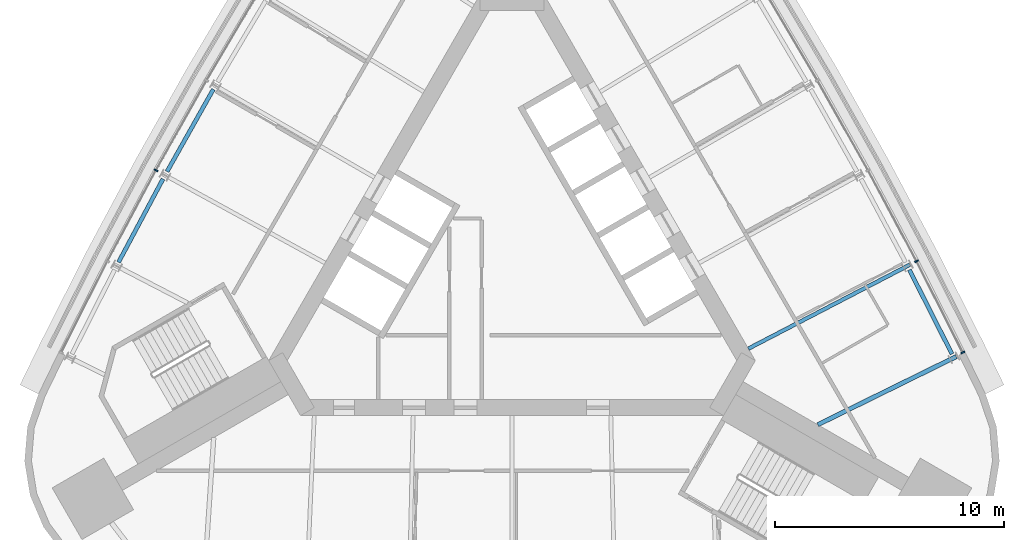
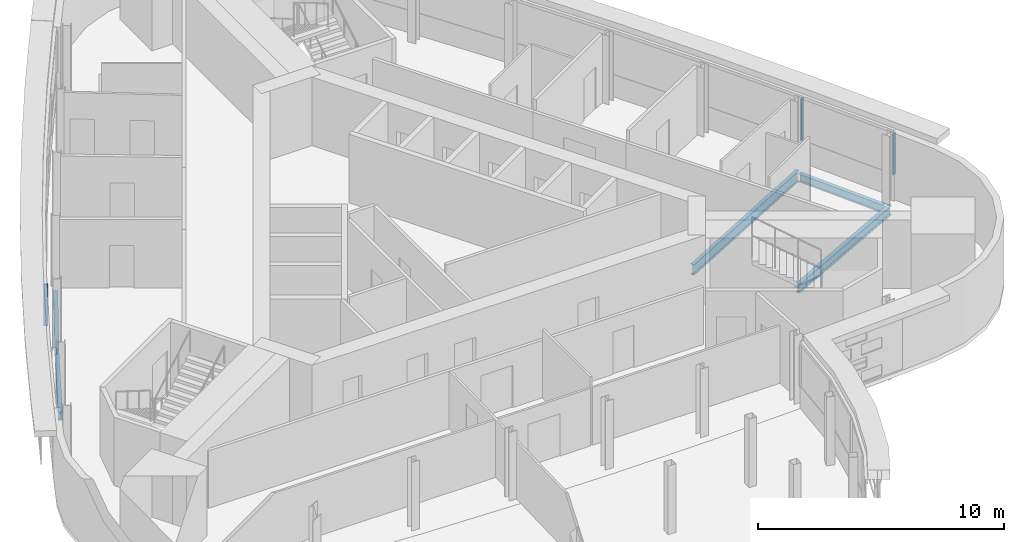
# One storey, part 5 of 14: 5 beams, 3 members, 2 elements without a shape of their own.
"""IFC4 building model written with IfcOpenShell, lengths in metres."""

from ifc_helpers import new_model, si_unit, direction, frame, origin, origin_2d, place, context, subcontext, project, spatial, rectangle, i_section, extrude, material, material_profile, profile_set, type_object, element, aggregate, save


model = new_model("IFC4")

# Units and contexts
model_context = context("Model", 3, precision=1e-05, world=origin(), true_north=direction((0.0, 1.0)))
body_context = subcontext(model_context, "Body", "Model", "MODEL_VIEW")
ifc_project = project(units=[si_unit("LENGTHUNIT", "METRE"), si_unit("AREAUNIT", "SQUARE_METRE"), si_unit("VOLUMEUNIT", "CUBIC_METRE"), si_unit("PLANEANGLEUNIT", "RADIAN"), si_unit("MASSUNIT", "GRAM", prefix="KILO")], contexts=[model_context])

# Site, building, storey
site_placement = place(None, origin())
site = spatial("IfcSite", under=ifc_project, at=site_placement, CompositionType="ELEMENT")
building_placement = place(site_placement, origin())
building = spatial("IfcBuilding", under=site, at=building_placement, Name="Noor Cloister Tower", CompositionType="ELEMENT")
storey_placement = place(building_placement, frame((0.0, 0.0, 218.39990234375)))
storey = spatial("IfcBuildingStorey", under=building, at=storey_placement, Name="L56", CompositionType="ELEMENT", Elevation=218.39990234375)

# Curtain wall, member
ifc_material_1 = material(Name="Aluminium 6063-T6 anodised", Category="aluminium")
curtain_wall_type = type_object("IfcCurtainWallType", Name="Ribbon curtain wall, upper tower CW5", PredefinedType="NOTDEFINED", material=ifc_material_1)
curtain_wall_1_placement = place(storey_placement, origin())
curtain_wall_1 = element("IfcCurtainWall", 1, at=curtain_wall_1_placement, inside=storey, type_object=curtain_wall_type, Name="CW5 L56 NW run 1", PredefinedType="NOTDEFINED")
ifc_material_2 = material(Name="Aluminium 6063-T6 anodised", Category="aluminium")
ifc_material_profile_1 = material_profile(ifc_material_2, rectangle(XDim=0.179931640625, YDim=0.070068359375, at=origin_2d()), Name="180 x 70 mullion")
ifc_profile_set_1 = profile_set([ifc_material_profile_1], Name="Aluminium 6063-T6 anodised")
member_type = type_object("IfcMemberType", Name="Mullion CW5 70 x 180", PredefinedType="MULLION", material=ifc_profile_set_1)
member_1_placement = place(storey_placement, frame((-15.5341796875, 3.775390625, 1.10009765625), z_axis=(0.0, 0.0, 1.0), x_axis=(0.8768790948, -0.480710987083, 0.0)))
member_1 = element("IfcMember", 2, at=member_1_placement, type_object=member_type, Name="CW5 mullion 5", PredefinedType="MULLION", context=body_context, shape_type="SweptSolid", body=[
    extrude(rectangle(XDim=0.179931640625, YDim=0.070068359375, at=origin_2d()), origin(), (0.0, 0.0, 1.0), 2.050048828125),
])
aggregate(curtain_wall_1, [member_1])

# Curtain wall, members
curtain_wall_2_placement = place(storey_placement, origin())
curtain_wall_2 = element("IfcCurtainWall", 3, at=curtain_wall_2_placement, inside=storey, type_object=curtain_wall_type, Name="CW5 L56 NE run 4", PredefinedType="NOTDEFINED")
member_2_placement = place(storey_placement, frame((19.667236328125, -4.175537109375, 1.10009765625), z_axis=(0.0, 0.0, 1.0), x_axis=(-0.892352618471, -0.451338901833, 0.0)))
member_2 = element("IfcMember", 4, at=member_2_placement, type_object=member_type, Name="CW5 mullion 1", PredefinedType="MULLION", context=body_context, shape_type="SweptSolid", body=[
    extrude(rectangle(XDim=0.179931640625, YDim=0.070068359375, at=origin_2d()), origin(), (0.0, 0.0, 1.0), 2.050048828125),
])
member_3_placement = place(storey_placement, frame((17.652587890625, -0.192138671875, 1.10009765625), z_axis=(0.0, 0.0, 1.0), x_axis=(-0.887303238306, -0.461186473449, 0.0)))
member_3 = element("IfcMember", 5, at=member_3_placement, type_object=member_type, Name="CW5 mullion 2", PredefinedType="MULLION", context=body_context, shape_type="SweptSolid", body=[
    extrude(rectangle(XDim=0.179931640625, YDim=0.070068359375, at=origin_2d()), origin(), (0.0, 0.0, 1.0), 2.050048828125),
])
aggregate(curtain_wall_2, [member_2, member_3])

# Beams
ifc_material_3 = material(Name="Steel ASTM A992 Gr 50", Category="steel")
ifc_material_profile_2 = material_profile(ifc_material_3, i_section(OverallWidth=0.19091796875, OverallDepth=0.45703125, WebThickness=0.009033203125, FlangeThickness=0.014404296875, FilletRadius=0.01025390625, at=origin_2d()), Name="W460x74")
ifc_profile_set_2 = profile_set([ifc_material_profile_2], Name="Steel ASTM A992 Gr 50")
beam_type_1 = type_object("IfcBeamType", Name="Radial beam W460x74", PredefinedType="BEAM", material=ifc_profile_set_2)
beam_1_placement = place(storey_placement, frame((19.3828125, -4.35302734375, -0.428466796875), z_axis=(-0.897293950697, -0.44143353525, 0.0), x_axis=(0.44143353525, -0.897293950697, 0.0)))
element("IfcBeam", 6, at=beam_1_placement, inside=storey, type_object=beam_type_1, Name="Radial beam NE 01 L56", PredefinedType="BEAM", context=body_context, shape_type="SweptSolid", body=[
    extrude(i_section(OverallWidth=0.19091796875, OverallDepth=0.45703125, WebThickness=0.009033203125, FlangeThickness=0.014404296875, FilletRadius=0.01025390625, at=origin_2d()), origin(), (0.0, 0.0, 1.0), 6.735107421875),
])
ifc_material_4 = material(Name="Steel ASTM A992 Gr 50", Category="steel")
ifc_material_profile_3 = material_profile(ifc_material_4, i_section(OverallWidth=0.166015625, OverallDepth=0.528076171875, WebThickness=0.009765625, FlangeThickness=0.013671875, FilletRadius=0.0126953125, at=origin_2d()), Name="W530x74")
ifc_profile_set_3 = profile_set([ifc_material_profile_3], Name="Steel ASTM A992 Gr 50")
beam_type_2 = type_object("IfcBeamType", Name="Radial beam W530x74", PredefinedType="BEAM", material=ifc_profile_set_3)
beam_2_placement = place(storey_placement, frame((17.356201171875, -0.34619140625, -0.4638671875), z_axis=(-0.887304410433, -0.461184218318, 0.0), x_axis=(0.461184218318, -0.887304410433, 0.0)))
element("IfcBeam", 7, at=beam_2_placement, inside=storey, type_object=beam_type_2, Name="Radial beam NE 02 L56", PredefinedType="BEAM", context=body_context, shape_type="SweptSolid", body=[
    extrude(i_section(OverallWidth=0.166015625, OverallDepth=0.528076171875, WebThickness=0.009765625, FlangeThickness=0.013671875, FilletRadius=0.0126953125, at=origin_2d()), origin(), (0.0, 0.0, 1.0), 7.9375),
])
ifc_material_5 = material(Name="Steel ASTM A992 Gr 50", Category="steel")
ifc_material_profile_4 = material_profile(ifc_material_5, i_section(OverallWidth=0.177978515625, OverallDepth=0.406005859375, WebThickness=0.0078125, FlangeThickness=0.0126953125, FilletRadius=0.01025390625, at=origin_2d()), Name="W410x60")
ifc_profile_set_4 = profile_set([ifc_material_profile_4], Name="Steel ASTM A992 Gr 50")
beam_type_3 = type_object("IfcBeamType", Name="Spandrel beam W410x60", PredefinedType="SPANDREL", material=ifc_profile_set_4)
beam_3_placement = place(storey_placement, frame((-13.0302734375, 7.3076171875, -0.40283203125), z_axis=(-0.490396452129, -0.871499466288, 0.0), x_axis=(0.871499466288, -0.490396452129, 0.0)))
element("IfcBeam", 8, at=beam_3_placement, inside=storey, type_object=beam_type_3, Name="Spandrel beam NW 04 L56", PredefinedType="SPANDREL", context=body_context, shape_type="SweptSolid", body=[
    extrude(i_section(OverallWidth=0.177978515625, OverallDepth=0.406005859375, WebThickness=0.0078125, FlangeThickness=0.0126953125, FilletRadius=0.01025390625, at=origin_2d()), origin(), (0.0, 0.0, 1.0), 4.11474609375),
])
for number, where, z_axis, x_axis, name in (
    (9, (-15.227294921875, 3.39453125, -0.40283203125), (-0.471000859452, -0.882132751005, 0.0), (0.882132751005, -0.471000859452, 0.0), "Spandrel beam NW 05 L56"),
    (10, (19.194580078125, -4.23779296875, -0.40283203125), (-0.451362231773, 0.892340818146, 0.0), (-0.892340818146, -0.451362231773, 0.0), "Spandrel beam NE 01 L56"),
):
    element("IfcBeam", number, at=place(storey_placement, frame(where, z_axis=z_axis, x_axis=x_axis)), inside=storey, type_object=beam_type_3, Name=name, PredefinedType="SPANDREL", context=body_context, shape_type="SweptSolid", body=[
        extrude(i_section(OverallWidth=0.177978515625, OverallDepth=0.406005859375, WebThickness=0.0078125, FlangeThickness=0.0126953125, FilletRadius=0.01025390625, at=origin_2d()), origin(), (0.0, 0.0, 1.0), 4.114501953125),
    ])

save(model, "model.ifc")
